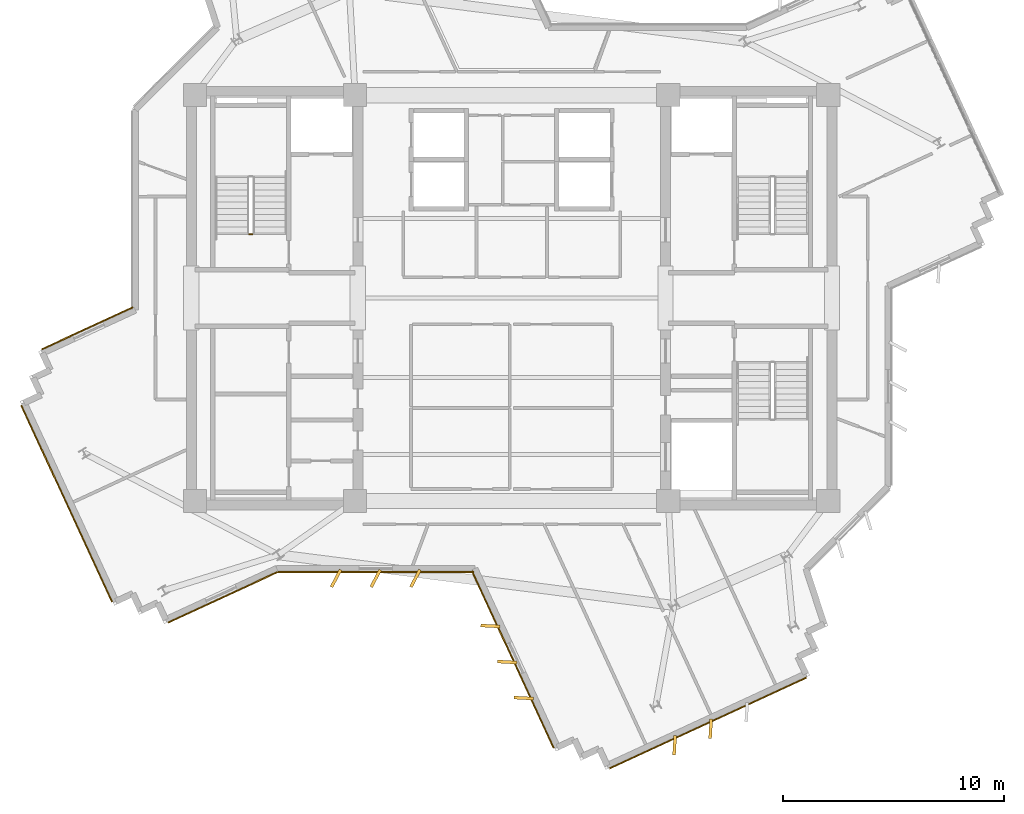
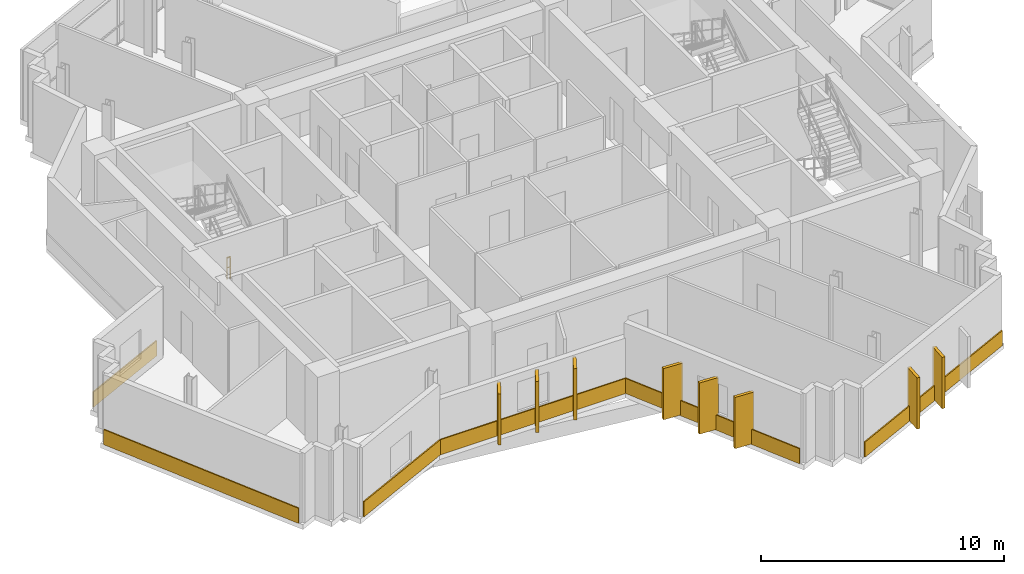
# One storey, part 10 of 12: 14 coverings, 1 railing.
"""IFC4 building model written with IfcOpenShell, lengths in metres."""

from ifc_helpers import new_model, si_unit, direction, frame, origin, origin_2d, place, context, subcontext, project, spatial, rectangle, extrude, source, transform, mapped, material, layer, layer_set, type_object, element, save


model = new_model("IFC4")

# Units and contexts
model_context = context("Model", 3, precision=1e-05, world=origin(), true_north=direction((0.0, 1.0)))
body_context = subcontext(model_context, "Body", "Model", "MODEL_VIEW")
ifc_project = project(units=[si_unit("LENGTHUNIT", "METRE"), si_unit("AREAUNIT", "SQUARE_METRE"), si_unit("VOLUMEUNIT", "CUBIC_METRE"), si_unit("PLANEANGLEUNIT", "RADIAN"), si_unit("MASSUNIT", "GRAM", prefix="KILO")], contexts=[model_context])

# Site, building, storey
site_placement = place(None, origin())
site = spatial("IfcSite", under=ifc_project, at=site_placement, CompositionType="ELEMENT")
building_placement = place(site_placement, origin())
building = spatial("IfcBuilding", under=site, at=building_placement, Name="Zahravan Cultural Tower", CompositionType="ELEMENT")
storey_placement = place(building_placement, frame((0.0, 0.0, 246.60009765625)))
storey = spatial("IfcBuildingStorey", under=building, at=storey_placement, Name="L58", CompositionType="ELEMENT", Elevation=246.60009765625)

# Railing
ifc_material_1 = material(Name="Steel ASTM A572 Grade 50", Category="steel")
railing_type = type_object("IfcRailingType", Name="RL-STAIR-GRD1150", PredefinedType="BALUSTRADE", material=ifc_material_1)
railing_placement = place(storey_placement, frame((24.25, 29.89990234375, 0.0)))
element("IfcRailing", 1, at=railing_placement, inside=storey, type_object=railing_type, Name="L58 ST-W1 stair guard 4", PredefinedType="BALUSTRADE", context=body_context, shape_type="SweptSolid", body=[
    extrude(rectangle(XDim=0.05, YDim=0.05, at=origin_2d()), frame((0.0, 0.0, 1.0751953125), z_axis=(-1.0, 0.0, 0.0), x_axis=(0.0, -1.0, 0.0)), (0.0, 0.0, 1.0), 0.14990234375),
    extrude(rectangle(XDim=0.032, YDim=0.032, at=origin_2d()), frame((0.0, 0.0, 0.572021484375), z_axis=(-1.0, 0.0, 0.0), x_axis=(0.0, -1.0, 0.0)), (0.0, 0.0, 1.0), 0.14990234375),
    extrude(rectangle(XDim=0.04, YDim=0.04, at=origin_2d()), origin(), (0.0, 0.0, 1.0), 1.10009765625),
    extrude(rectangle(XDim=0.04, YDim=0.04, at=origin_2d()), frame((-0.14990234375, 0.0, 0.0)), (0.0, 0.0, 1.0), 1.10009765625),
])

# Coverings
ifc_material_2 = material(Name="Terracotta ceramic cladding", Category="masonry")
ifc_layer = layer(ifc_material_2, 0.06005859375)
ifc_layer_set = layer_set([ifc_layer], Name="Terracotta ceramic cladding")
covering_type = type_object("IfcCoveringType", Name="COV-CLAD-TC60", PredefinedType="CLADDING", material=ifc_layer_set)
shared_shape_1 = source(origin(), body_context, "Body", "SweptSolid", [
    extrude(rectangle(XDim=9.820068359375, YDim=0.06005859375, at=origin_2d()), origin(), (0.0, 0.0, 1.0), 0.760009765625),
])
for number, where, z_axis, x_axis, name in (
    (2, (44.90283203125, 7.732421875, 0.02001953125), (0.0, 0.0, 1.0), (-0.907777478533, -0.419452082446, 0.0), "L58 Terracotta Spandrel Cladding 18"),
    (3, (15.82470703125, 17.677490234375, 0.02001953125), (0.0, 0.0, 1.0), (-0.419452082446, 0.907777478533, 0.0), "L58 Terracotta Spandrel Cladding 30"),
):
    element("IfcCovering", number, at=place(storey_placement, frame(where, z_axis=z_axis, x_axis=x_axis)), inside=storey, type_object=covering_type, Name=name, PredefinedType="CLADDING", context=body_context, shape_type="MappedRepresentation", body=[
        mapped(shared_shape_1, transform((0.0, 0.0, 0.0), x_axis=(1.0, 0.0, 0.0), y_axis=(0.0, 1.0, 0.0), z_axis=(0.0, 0.0, 1.0), scale=1.0)),
    ])
shared_shape_2 = source(origin(), body_context, "Body", "SweptSolid", [
    extrude(rectangle(XDim=4.544189453125, YDim=0.06005859375, at=origin_2d()), origin(), (0.0, 0.0, 1.0), 0.760009765625),
])
covering_1_placement = place(storey_placement, frame((16.7626953125, 25.62939453125, 0.02001953125), z_axis=(0.0, 0.0, 1.0), x_axis=(0.907770157575, 0.419467926088, 0.0)))
element("IfcCovering", 4, at=covering_1_placement, inside=storey, type_object=covering_type, Name="L58 Terracotta Spandrel Cladding 35", PredefinedType="CLADDING", context=body_context, shape_type="MappedRepresentation", body=[
    mapped(shared_shape_2, transform((0.0, 0.0, 0.0), x_axis=(1.0, 0.0, 0.0), y_axis=(0.0, 1.0, 0.0), z_axis=(0.0, 0.0, 1.0), scale=1.0)),
])
shared_shape_3 = source(origin(), body_context, "Body", "SweptSolid", [
    extrude(rectangle(XDim=5.445068359375, YDim=0.06005859375, at=origin_2d()), origin(), (0.0, 0.0, 1.0), 0.760009765625),
])
covering_2_placement = place(storey_placement, frame((22.897216796875, 13.42724609375, 0.02001953125), z_axis=(0.0, 0.0, 1.0), x_axis=(-0.907777478533, -0.419452082446, 0.0)))
element("IfcCovering", 5, at=covering_2_placement, inside=storey, type_object=covering_type, Name="L58 Terracotta Spandrel Cladding 25", PredefinedType="CLADDING", context=body_context, shape_type="MappedRepresentation", body=[
    mapped(shared_shape_3, transform((0.0, 0.0, 0.0), x_axis=(1.0, 0.0, 0.0), y_axis=(0.0, 1.0, 0.0), z_axis=(0.0, 0.0, 1.0), scale=1.0)),
])
shared_shape_4 = source(origin(), body_context, "Body", "SweptSolid", [
    extrude(rectangle(XDim=0.8798828125, YDim=0.139892578125, at=origin_2d()), origin(), (0.0, 0.0, 1.0), 2.580078125),
])
for number, where, z_axis, x_axis, name in (
    (6, (45.0224609375, 7.4736328125, 0.0498046875), (0.0, 0.0, 1.0), (-0.055821504993, -0.998440764182, 0.0), "L58 Herringbone Terracotta Fin 10"),
    (7, (43.388427734375, 6.71875, 0.0498046875), (0.0, 0.0, 1.0), (-0.055821504993, -0.998440764182, 0.0), "L58 Herringbone Terracotta Fin 11"),
    (8, (36.548095703125, 8.86328125, 0.0498046875), (0.0, 0.0, 1.0), (-0.998440764182, 0.055821504993, 0.0), "L58 Herringbone Terracotta Fin 12"),
    (9, (35.793212890625, 10.497314453125, 0.0498046875), (0.0, 0.0, 1.0), (-0.998440764182, 0.055821504993, 0.0), "L58 Herringbone Terracotta Fin 13"),
    (10, (35.0380859375, 12.131103515625, 0.0498046875), (0.0, 0.0, 1.0), (-0.998440764182, 0.055821504993, 0.0), "L58 Herringbone Terracotta Fin 14"),
    (11, (31.636474609375, 14.2900390625, 0.0498046875), (0.0, 0.0, 1.0), (-0.469471562786, -0.882947592859, 0.0), "L58 Herringbone Terracotta Fin 15"),
    (12, (29.83642578125, 14.2900390625, 0.0498046875), (0.0, 0.0, 1.0), (-0.469471562786, -0.882947592859, 0.0), "L58 Herringbone Terracotta Fin 16"),
    (13, (28.03662109375, 14.2900390625, 0.0498046875), (0.0, 0.0, 1.0), (-0.469471562786, -0.882947592859, 0.0), "L58 Herringbone Terracotta Fin 17"),
):
    element("IfcCovering", number, at=place(storey_placement, frame(where, z_axis=z_axis, x_axis=x_axis)), inside=storey, type_object=covering_type, Name=name, PredefinedType="CLADDING", context=body_context, shape_type="MappedRepresentation", body=[
        mapped(shared_shape_4, transform((0.0, 0.0, 0.0), x_axis=(1.0, 0.0, 0.0), y_axis=(0.0, 1.0, 0.0), z_axis=(0.0, 0.0, 1.0), scale=1.0)),
    ])
shared_shape_5 = source(origin(), body_context, "Body", "SweptSolid", [
    extrude(rectangle(XDim=8.831787109375, YDim=0.06005859375, at=origin_2d()), origin(), (0.0, 0.0, 1.0), 0.760009765625),
])
covering_3_placement = place(storey_placement, frame((36.0517578125, 10.61669921875, 0.02001953125), z_axis=(0.0, 0.0, 1.0), x_axis=(-0.419452082446, 0.907777478533, 0.0)))
element("IfcCovering", 14, at=covering_3_placement, inside=storey, type_object=covering_type, Name="L58 Terracotta Spandrel Cladding 23", PredefinedType="CLADDING", context=body_context, shape_type="MappedRepresentation", body=[
    mapped(shared_shape_5, transform((0.0, 0.0, 0.0), x_axis=(1.0, 0.0, 0.0), y_axis=(0.0, 1.0, 0.0), z_axis=(0.0, 0.0, 1.0), scale=1.0)),
])
shared_shape_6 = source(origin(), body_context, "Body", "SweptSolid", [
    extrude(rectangle(XDim=8.883544921875, YDim=0.06005859375, at=origin_2d()), origin(), (0.0, 0.0, 1.0), 0.760009765625),
])
covering_4_placement = place(storey_placement, frame((29.83642578125, 14.574951171875, 0.02001953125), z_axis=(0.0, 0.0, 1.0), x_axis=(-1.0, 0.0, 0.0)))
element("IfcCovering", 15, at=covering_4_placement, inside=storey, type_object=covering_type, Name="L58 Terracotta Spandrel Cladding 24", PredefinedType="CLADDING", context=body_context, shape_type="MappedRepresentation", body=[
    mapped(shared_shape_6, transform((0.0, 0.0, 0.0), x_axis=(1.0, 0.0, 0.0), y_axis=(0.0, 1.0, 0.0), z_axis=(0.0, 0.0, 1.0), scale=1.0)),
])

save(model, "model.ifc")
